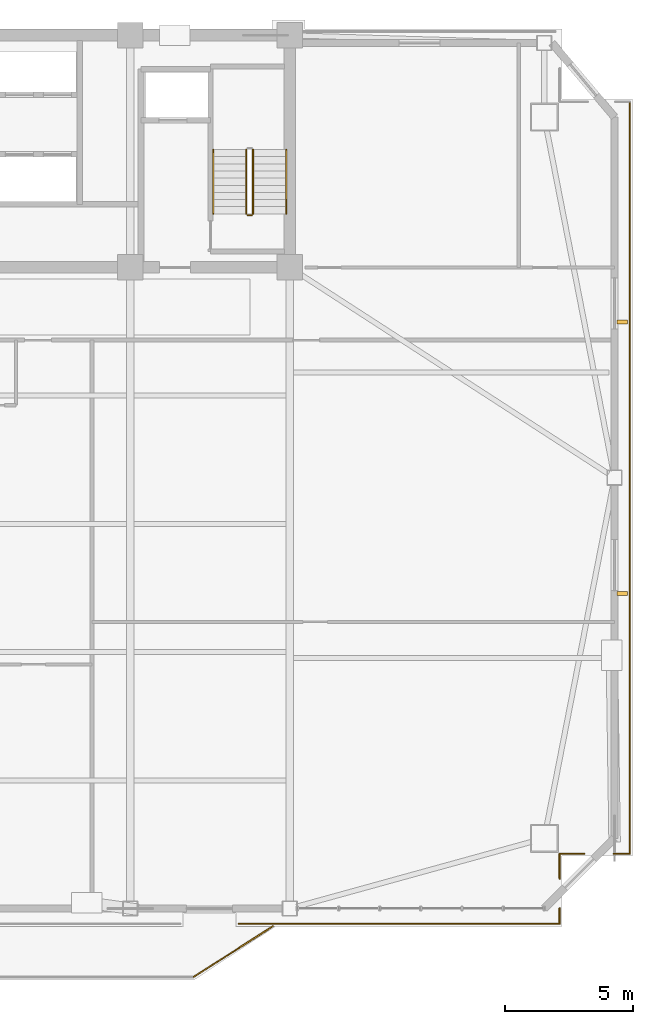
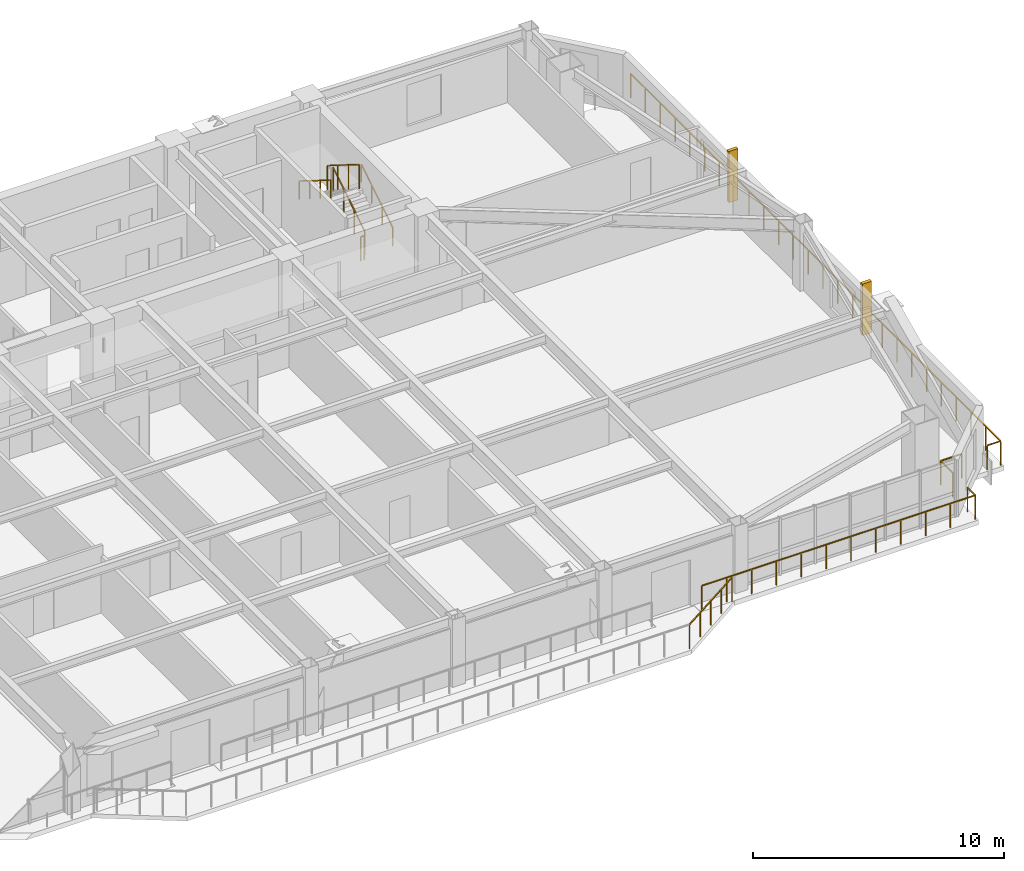
# One storey, part 15 of 17: 12 railings, 2 shading devices.
"""IFC4 building model written with IfcOpenShell, lengths in metres."""

import ifcopenshell
import ifcopenshell.guid

model = None  # the IFC model being written
_history = None  # IfcOwnerHistory: only IFC2X3 demands one
_inside = {}  # id of a spatial element -> (the spatial element, [elements in it])
_under = {}  # id of a project, library or spatial element -> (it, [spatial elements below it])
_declared = {}  # id of a project -> (the project, [libraries it declares])
_typed = {}  # id of a type object -> (the type object, [elements of that type])
_made_of = {}  # id of a material, layer set ... -> (it, [elements and type objects made of it])


def new_model(schema):
    """Start an empty IFC model of exactly this schema.

    Asked for "IFC4X3", IfcOpenShell would pick the latest addendum, in which some entities
    have other attributes; the version numbers below select the first issue.
    IFC2X3 requires an IfcOwnerHistory on every rooted entity: one is made here for all.
    """
    global model, _history
    if schema == "IFC4X3":
        model = ifcopenshell.file(schema_version=(4, 3, 0, 0))
    else:
        model = ifcopenshell.file(schema=schema)
    _inside.clear()
    _under.clear()
    _declared.clear()
    _typed.clear()
    _made_of.clear()
    _history = None
    if model.schema == "IFC2X3":
        org = make("IfcOrganization", Name="unknown")
        user = make(
            "IfcPersonAndOrganization",
            ThePerson=make("IfcPerson", FamilyName="unknown"),
            TheOrganization=org,
        )
        app = make(
            "IfcApplication",
            ApplicationDeveloper=org,
            Version="unknown",
            ApplicationFullName="unknown",
            ApplicationIdentifier="unknown",
        )
        _history = make(
            "IfcOwnerHistory",
            OwningUser=user,
            OwningApplication=app,
            ChangeAction="ADDED",
            CreationDate=0,
        )
    return model


def make(cls, **values):
    """One entity of the class cls with the attributes given. An attribute that is None is left unset."""
    return model.create_entity(
        cls, **{name: value for name, value in values.items() if value is not None}
    )


def rooted(cls, **values):
    """An entity with a GlobalId (a new one), such as an element, a storey or a relation."""
    return make(cls, GlobalId=ifcopenshell.guid.new(), OwnerHistory=_history, **values)


def si_unit(unit_type, name, prefix=None):
    """IfcSIUnit, for example si_unit("LENGTHUNIT", "METRE", prefix="MILLI")."""
    return make("IfcSIUnit", UnitType=unit_type, Prefix=prefix, Name=name)


def assignment(units):
    """IfcUnitAssignment: the units of a project."""
    return None if units is None else make("IfcUnitAssignment", Units=units)


def point(xyz):
    """IfcCartesianPoint."""
    return None if xyz is None else make("IfcCartesianPoint", Coordinates=xyz)


def direction(xyz):
    """IfcDirection."""
    return None if xyz is None else make("IfcDirection", DirectionRatios=xyz)


def frame(location, z_axis=None, x_axis=None):
    """IfcAxis2Placement3D, a coordinate frame: its origin and axes. An axis left out is left unset."""
    return make(
        "IfcAxis2Placement3D",
        Location=point(location),
        Axis=direction(z_axis),
        RefDirection=direction(x_axis),
    )


def frame_2d(location, x_axis=None):
    """IfcAxis2Placement2D, a coordinate frame in the plane: its origin and x axis."""
    return make(
        "IfcAxis2Placement2D", Location=point(location), RefDirection=direction(x_axis)
    )


def origin():
    """The frame at (0, 0, 0) with its axes left unset."""
    return frame((0.0, 0.0, 0.0))


def origin_2d():
    """The frame at (0, 0) in the plane with its x axis left unset."""
    return frame_2d((0.0, 0.0))


def place(relative_to, where):
    """IfcLocalPlacement: puts the frame where relative to a parent placement (None: the world)."""
    return make(
        "IfcLocalPlacement", PlacementRelTo=relative_to, RelativePlacement=where
    )


def context(
    kind, dimensions, precision=None, world=None, true_north=None, identifier=None
):
    """IfcGeometricRepresentationContext, for example the 3D "Model" context."""
    return make(
        "IfcGeometricRepresentationContext",
        ContextIdentifier=identifier,
        ContextType=kind,
        CoordinateSpaceDimension=dimensions,
        Precision=precision,
        WorldCoordinateSystem=world,
        TrueNorth=true_north,
    )


def subcontext(parent, identifier, kind, view, scale=None):
    """IfcGeometricRepresentationSubContext, for example "Body" below "Model"."""
    return make(
        "IfcGeometricRepresentationSubContext",
        ContextIdentifier=identifier,
        ContextType=kind,
        ParentContext=parent,
        TargetScale=scale,
        TargetView=view,
    )


def project(units=None, contexts=None):
    """IfcProject with its units and contexts."""
    return rooted(
        "IfcProject",
        Name="project",
        RepresentationContexts=contexts,
        UnitsInContext=assignment(units),
    )


def spatial(cls, under=None, at=None, **own):
    """A site, building, storey or space (cls), placed at a placement, below another one or the project."""
    s = rooted(cls, ObjectPlacement=at, **own)
    if under is not None:
        _under.setdefault(under.id(), (under, []))[1].append(s)
    return s


def profile(cls, at=None, kind="AREA", **sizes):
    """A parametric profile (cls). Its sizes go by their IFC names, for example OverallWidth=200.0."""
    return make(cls, ProfileType=kind, Position=at, **sizes)


def rectangle(**sizes):
    """IfcRectangleProfileDef."""
    return profile("IfcRectangleProfileDef", **sizes)


def extrude(swept, where, along, depth):
    """IfcExtrudedAreaSolid: the profile swept, set in the frame where, extruded along a direction by depth."""
    return make(
        "IfcExtrudedAreaSolid",
        SweptArea=swept,
        Position=where,
        ExtrudedDirection=direction(along),
        Depth=depth,
    )


def shape(context_of_items, identifier, shape_type, items):
    """IfcShapeRepresentation: the items that make up one representation, for example the "Body"."""
    return make(
        "IfcShapeRepresentation",
        ContextOfItems=context_of_items,
        RepresentationIdentifier=identifier,
        RepresentationType=shape_type,
        Items=items,
    )


def source(mapping_origin, context_of_items, identifier, shape_type, items):
    """IfcRepresentationMap: a shape defined once, which mapped items show again and again."""
    return make(
        "IfcRepresentationMap",
        MappingOrigin=mapping_origin,
        MappedRepresentation=shape(context_of_items, identifier, shape_type, items),
    )


def transform(
    local_origin,
    x_axis=None,
    y_axis=None,
    z_axis=None,
    scale=None,
    scale2=None,
    scale3=None,
    uniform=True,
):
    """IfcCartesianTransformationOperator3D, or its non-uniform kind. x_axis, y_axis, z_axis: its Axis1, 2, 3."""
    if uniform:
        return make(
            "IfcCartesianTransformationOperator3D",
            Axis1=direction(x_axis),
            Axis2=direction(y_axis),
            LocalOrigin=point(local_origin),
            Scale=scale,
            Axis3=direction(z_axis),
        )
    return make(
        "IfcCartesianTransformationOperator3DnonUniform",
        Axis1=direction(x_axis),
        Axis2=direction(y_axis),
        LocalOrigin=point(local_origin),
        Scale=scale,
        Axis3=direction(z_axis),
        Scale2=scale2,
        Scale3=scale3,
    )


def mapped(mapping_source, mapping_target):
    """IfcMappedItem: shows the shape of a source again, moved by a transform."""
    return make(
        "IfcMappedItem", MappingSource=mapping_source, MappingTarget=mapping_target
    )


def material(Name=None, Category=None):
    """IfcMaterial."""
    return make("IfcMaterial", Name=Name, Category=Category)


def made_of(thing, what):
    """Note that an element or type object is made of a material, layer set ...; save() writes the relation."""
    if what is not None:
        _made_of.setdefault(what.id(), (what, []))[1].append(thing)
    return thing


def type_object(cls, material=None, **own):
    """A type object (cls), such as IfcWallType, which elements share."""
    return made_of(rooted(cls, **own), material)


def element(
    cls,
    number,
    at=None,
    inside=None,
    cuts=None,
    type_object=None,
    material=None,
    context=None,
    identifier="Body",
    shape_type=None,
    held_by="IfcProductDefinitionShape",
    body=None,
    shapes=None,
    **own,
):
    """One element of the class cls, such as IfcWall. Its Tag is "e" and its number.

    at: its placement. inside: the storey or other place that contains it. cuts: it is an
    opening in that element (IfcRelVoidsElement). A single representation is given by context,
    identifier, shape_type and body (its items); several are given by shapes. held_by: the class
    of the entity that holds the representations. save() writes the other relations.
    """
    e = rooted(cls, Tag="e%d" % number, ObjectPlacement=at, **own)
    if body is not None:
        shapes = [shape(context, identifier, shape_type, body)]
    if shapes is not None:
        e.Representation = make(held_by, Representations=shapes)
    if inside is not None:
        _inside.setdefault(inside.id(), (inside, []))[1].append(e)
    if cuts is not None:
        rooted(
            "IfcRelVoidsElement", RelatingBuildingElement=cuts, RelatedOpeningElement=e
        )
    if type_object is not None:
        _typed.setdefault(type_object.id(), (type_object, []))[1].append(e)
    return made_of(e, material)


def aggregate(whole, parts):
    """IfcRelAggregates: a whole, such as a stair, and the parts it consists of."""
    return rooted("IfcRelAggregates", RelatingObject=whole, RelatedObjects=parts)


def save(model, path):
    """Write the relations noted so far, then the file.

    IfcRelAggregates (storeys below a building ...), IfcRelContainedInSpatialStructure (elements
    in a storey), IfcRelDefinesByType, IfcRelAssociatesMaterial and IfcRelDeclares: one each for
    every whole, place, type object, material and project.
    """
    for whole, parts in _under.values():
        aggregate(whole, parts)
    for where, things in _inside.values():
        rooted(
            "IfcRelContainedInSpatialStructure",
            RelatedElements=things,
            RelatingStructure=where,
        )
    for kind, things in _typed.values():
        rooted("IfcRelDefinesByType", RelatedObjects=things, RelatingType=kind)
    for what, things in _made_of.values():
        rooted("IfcRelAssociatesMaterial", RelatedObjects=things, RelatingMaterial=what)
    for by, libraries in _declared.values():
        rooted("IfcRelDeclares", RelatingContext=by, RelatedDefinitions=libraries)
    model.write(path)


model = new_model("IFC4")

# Units and contexts
model_context = context("Model", 3, precision=1e-05, world=origin(), true_north=direction((0.0, 1.0)))
body_context = subcontext(model_context, "Body", "Model", "MODEL_VIEW")
ifc_project = project(units=[si_unit("LENGTHUNIT", "METRE"), si_unit("AREAUNIT", "SQUARE_METRE"), si_unit("VOLUMEUNIT", "CUBIC_METRE"), si_unit("PLANEANGLEUNIT", "RADIAN"), si_unit("MASSUNIT", "GRAM", prefix="KILO")], contexts=[model_context])

# Site, building, storey
site_placement = place(None, origin())
site = spatial("IfcSite", under=ifc_project, at=site_placement, CompositionType="ELEMENT")
building_placement = place(site_placement, origin())
building = spatial("IfcBuilding", under=site, at=building_placement, Name="Giltprow Tower", CompositionType="ELEMENT")
storey_placement = place(building_placement, frame((0.0, 0.0, 213.199951171875)))
storey = spatial("IfcBuildingStorey", under=building, at=storey_placement, Name="L54", CompositionType="ELEMENT", Elevation=213.199951171875)

# Railings
ifc_material = material(Name="Anodized bronze", Category="metal")
railing_type_1 = type_object("IfcRailingType", Name="RAIL-BALC-GUARD-1200", PredefinedType="BALUSTRADE", material=ifc_material)
railing_1_placement = place(storey_placement, frame((46.780029296875, 9.637939453125, 0.0)))
element("IfcRailing", 1, at=railing_1_placement, inside=storey, type_object=railing_type_1, Name="L54 Waterfront Balcony Balustrade Seg 3", PredefinedType="BALUSTRADE", context=body_context, shape_type="SweptSolid", body=[
    extrude(rectangle(XDim=0.048095703125, YDim=0.048095703125, at=origin_2d()), frame((0.0, 0.0, 1.17578125), z_axis=(0.842755646126, 0.538296313309, 0.0), x_axis=(-0.538296313309, 0.842755646126, 0.0)), (0.0, 0.0, 1.0), 3.67822265625),
    extrude(rectangle(XDim=0.0419921875, YDim=0.0419921875, at=origin_2d()), origin(), (0.0, 0.0, 1.0), 1.15185546875),
    extrude(rectangle(XDim=0.0419921875, YDim=0.0419921875, at=origin_2d()), frame((0.77490234375, 0.4951171875, 0.0)), (0.0, 0.0, 1.0), 1.15185546875),
    extrude(rectangle(XDim=0.0419921875, YDim=0.0419921875, at=origin_2d()), frame((1.5498046875, 0.989990234375, 0.0)), (0.0, 0.0, 1.0), 1.15185546875),
    extrude(rectangle(XDim=0.0419921875, YDim=0.0419921875, at=origin_2d()), frame((2.324951171875, 1.48486328125, 0.0)), (0.0, 0.0, 1.0), 1.15185546875),
    extrude(rectangle(XDim=0.0419921875, YDim=0.0419921875, at=origin_2d()), frame((3.099853515625, 1.97998046875, 0.0)), (0.0, 0.0, 1.0), 1.15185546875),
])
railing_2_placement = place(storey_placement, frame((63.882080078125, 43.946044921875, 0.0)))
element("IfcRailing", 2, at=railing_2_placement, inside=storey, type_object=railing_type_1, Name="L54 Corner Apron Edge Balustrade 1", PredefinedType="BALUSTRADE", context=body_context, shape_type="SweptSolid", body=[
    extrude(rectangle(XDim=0.048095703125, YDim=0.048095703125, at=origin_2d()), frame((0.0, 0.0, 1.17578125), z_axis=(0.0, -1.0, 0.0), x_axis=(1.0, 0.0, 0.0)), (0.0, 0.0, 1.0), 29.47412109375),
    extrude(rectangle(XDim=0.0419921875, YDim=0.0419921875, at=origin_2d()), origin(), (0.0, 0.0, 1.0), 1.15185546875),
    extrude(rectangle(XDim=0.0419921875, YDim=0.0419921875, at=origin_2d()), frame((0.0, -1.178955078125, 0.0)), (0.0, 0.0, 1.0), 1.15185546875),
    extrude(rectangle(XDim=0.0419921875, YDim=0.0419921875, at=origin_2d()), frame((0.0, -2.35791015625, 0.0)), (0.0, 0.0, 1.0), 1.15185546875),
    extrude(rectangle(XDim=0.0419921875, YDim=0.0419921875, at=origin_2d()), frame((0.0, -3.536865234375, 0.0)), (0.0, 0.0, 1.0), 1.15185546875),
    extrude(rectangle(XDim=0.0419921875, YDim=0.0419921875, at=origin_2d()), frame((0.0, -4.7158203125, 0.0)), (0.0, 0.0, 1.0), 1.15185546875),
    extrude(rectangle(XDim=0.0419921875, YDim=0.0419921875, at=origin_2d()), frame((0.0, -5.894775390625, 0.0)), (0.0, 0.0, 1.0), 1.15185546875),
    extrude(rectangle(XDim=0.0419921875, YDim=0.0419921875, at=origin_2d()), frame((0.0, -7.07373046875, 0.0)), (0.0, 0.0, 1.0), 1.15185546875),
    extrude(rectangle(XDim=0.0419921875, YDim=0.0419921875, at=origin_2d()), frame((0.0, -8.252685546875, 0.0)), (0.0, 0.0, 1.0), 1.15185546875),
    extrude(rectangle(XDim=0.0419921875, YDim=0.0419921875, at=origin_2d()), frame((0.0, -9.431640625, 0.0)), (0.0, 0.0, 1.0), 1.15185546875),
    extrude(rectangle(XDim=0.0419921875, YDim=0.0419921875, at=origin_2d()), frame((0.0, -10.610595703125, 0.0)), (0.0, 0.0, 1.0), 1.15185546875),
    extrude(rectangle(XDim=0.0419921875, YDim=0.0419921875, at=origin_2d()), frame((0.0, -11.78955078125, 0.0)), (0.0, 0.0, 1.0), 1.15185546875),
    extrude(rectangle(XDim=0.0419921875, YDim=0.0419921875, at=origin_2d()), frame((0.0, -12.968505859375, 0.0)), (0.0, 0.0, 1.0), 1.15185546875),
    extrude(rectangle(XDim=0.0419921875, YDim=0.0419921875, at=origin_2d()), frame((0.0, -14.1474609375, 0.0)), (0.0, 0.0, 1.0), 1.15185546875),
    extrude(rectangle(XDim=0.0419921875, YDim=0.0419921875, at=origin_2d()), frame((0.0, -15.32666015625, 0.0)), (0.0, 0.0, 1.0), 1.15185546875),
    extrude(rectangle(XDim=0.0419921875, YDim=0.0419921875, at=origin_2d()), frame((0.0, -16.505615234375, 0.0)), (0.0, 0.0, 1.0), 1.15185546875),
    extrude(rectangle(XDim=0.0419921875, YDim=0.0419921875, at=origin_2d()), frame((0.0, -17.6845703125, 0.0)), (0.0, 0.0, 1.0), 1.15185546875),
    extrude(rectangle(XDim=0.0419921875, YDim=0.0419921875, at=origin_2d()), frame((0.0, -18.863525390625, 0.0)), (0.0, 0.0, 1.0), 1.15185546875),
    extrude(rectangle(XDim=0.0419921875, YDim=0.0419921875, at=origin_2d()), frame((0.0, -20.04248046875, 0.0)), (0.0, 0.0, 1.0), 1.15185546875),
    extrude(rectangle(XDim=0.0419921875, YDim=0.0419921875, at=origin_2d()), frame((0.0, -21.221435546875, 0.0)), (0.0, 0.0, 1.0), 1.15185546875),
    extrude(rectangle(XDim=0.0419921875, YDim=0.0419921875, at=origin_2d()), frame((0.0, -22.400390625, 0.0)), (0.0, 0.0, 1.0), 1.15185546875),
    extrude(rectangle(XDim=0.0419921875, YDim=0.0419921875, at=origin_2d()), frame((0.0, -23.579345703125, 0.0)), (0.0, 0.0, 1.0), 1.15185546875),
    extrude(rectangle(XDim=0.0419921875, YDim=0.0419921875, at=origin_2d()), frame((0.0, -24.75830078125, 0.0)), (0.0, 0.0, 1.0), 1.15185546875),
    extrude(rectangle(XDim=0.0419921875, YDim=0.0419921875, at=origin_2d()), frame((0.0, -25.937255859375, 0.0)), (0.0, 0.0, 1.0), 1.15185546875),
    extrude(rectangle(XDim=0.0419921875, YDim=0.0419921875, at=origin_2d()), frame((0.0, -27.1162109375, 0.0)), (0.0, 0.0, 1.0), 1.15185546875),
    extrude(rectangle(XDim=0.0419921875, YDim=0.0419921875, at=origin_2d()), frame((0.0, -28.295166015625, 0.0)), (0.0, 0.0, 1.0), 1.15185546875),
    extrude(rectangle(XDim=0.0419921875, YDim=0.0419921875, at=origin_2d()), frame((0.0, -29.47412109375, 0.0)), (0.0, 0.0, 1.0), 1.15185546875),
])
railing_3_placement = place(storey_placement, frame((63.882080078125, 14.471923828125, 0.0)))
element("IfcRailing", 3, at=railing_3_placement, inside=storey, type_object=railing_type_1, Name="L54 Corner Apron Edge Balustrade 2", PredefinedType="BALUSTRADE", context=body_context, shape_type="SweptSolid", body=[
    extrude(rectangle(XDim=0.048095703125, YDim=0.048095703125, at=origin_2d()), frame((0.0, 0.0, 1.17578125), z_axis=(-1.0, 0.0, 0.0), x_axis=(0.0, -1.0, 0.0)), (0.0, 0.0, 1.0), 0.6201171875),
    extrude(rectangle(XDim=0.0419921875, YDim=0.0419921875, at=origin_2d()), origin(), (0.0, 0.0, 1.0), 1.15185546875),
    extrude(rectangle(XDim=0.0419921875, YDim=0.0419921875, at=origin_2d()), frame((-0.6201171875, 0.0, 0.0)), (0.0, 0.0, 1.0), 1.15185546875),
])
railing_4_placement = place(storey_placement, frame((62.10205078125, 14.471923828125, 0.0)))
element("IfcRailing", 4, at=railing_4_placement, inside=storey, type_object=railing_type_1, Name="L54 Corner Apron Edge Balustrade 3", PredefinedType="BALUSTRADE", context=body_context, shape_type="SweptSolid", body=[
    extrude(rectangle(XDim=0.048095703125, YDim=0.048095703125, at=origin_2d()), frame((0.0, 0.0, 1.17578125), z_axis=(-1.0, 0.0, 0.0), x_axis=(0.0, -1.0, 0.0)), (0.0, 0.0, 1.0), 0.97412109375),
    extrude(rectangle(XDim=0.0419921875, YDim=0.0419921875, at=origin_2d()), origin(), (0.0, 0.0, 1.0), 1.15185546875),
    extrude(rectangle(XDim=0.0419921875, YDim=0.0419921875, at=origin_2d()), frame((-0.97412109375, 0.0, 0.0)), (0.0, 0.0, 1.0), 1.15185546875),
])
railing_5_placement = place(storey_placement, frame((61.1279296875, 14.471923828125, 0.0)))
element("IfcRailing", 5, at=railing_5_placement, inside=storey, type_object=railing_type_1, Name="L54 Corner Apron Edge Balustrade 4", PredefinedType="BALUSTRADE", context=body_context, shape_type="SweptSolid", body=[
    extrude(rectangle(XDim=0.048095703125, YDim=0.048095703125, at=origin_2d()), frame((0.0, 0.0, 1.17578125), z_axis=(0.0, -1.0, 0.0), x_axis=(1.0, 0.0, 0.0)), (0.0, 0.0, 1.0), 0.973876953125),
    extrude(rectangle(XDim=0.0419921875, YDim=0.0419921875, at=origin_2d()), origin(), (0.0, 0.0, 1.0), 1.15185546875),
    extrude(rectangle(XDim=0.0419921875, YDim=0.0419921875, at=origin_2d()), frame((0.0, -0.973876953125, 0.0)), (0.0, 0.0, 1.0), 1.15185546875),
])
railing_6_placement = place(storey_placement, frame((61.1279296875, 12.337890625, 0.0)))
element("IfcRailing", 6, at=railing_6_placement, inside=storey, type_object=railing_type_1, Name="L54 Corner Apron Edge Balustrade 5", PredefinedType="BALUSTRADE", context=body_context, shape_type="SweptSolid", body=[
    extrude(rectangle(XDim=0.048095703125, YDim=0.048095703125, at=origin_2d()), frame((0.0, 0.0, 1.17578125), z_axis=(0.0, -1.0, 0.0), x_axis=(1.0, 0.0, 0.0)), (0.0, 0.0, 1.0), 0.619873046875),
    extrude(rectangle(XDim=0.0419921875, YDim=0.0419921875, at=origin_2d()), origin(), (0.0, 0.0, 1.0), 1.15185546875),
    extrude(rectangle(XDim=0.0419921875, YDim=0.0419921875, at=origin_2d()), frame((0.0, -0.619873046875, 0.0)), (0.0, 0.0, 1.0), 1.15185546875),
])
railing_7_placement = place(storey_placement, frame((61.1279296875, 11.718017578125, 0.0)))
element("IfcRailing", 7, at=railing_7_placement, inside=storey, type_object=railing_type_1, Name="L54 Corner Apron Edge Balustrade 6", PredefinedType="BALUSTRADE", context=body_context, shape_type="SweptSolid", body=[
    extrude(rectangle(XDim=0.048095703125, YDim=0.048095703125, at=origin_2d()), frame((0.0, 0.0, 1.17578125), z_axis=(-1.0, 0.0, 0.0), x_axis=(0.0, -1.0, 0.0)), (0.0, 0.0, 1.0), 12.577880859375),
    extrude(rectangle(XDim=0.0419921875, YDim=0.0419921875, at=origin_2d()), origin(), (0.0, 0.0, 1.0), 1.15185546875),
    extrude(rectangle(XDim=0.0419921875, YDim=0.0419921875, at=origin_2d()), frame((-1.1435546875, 0.0, 0.0)), (0.0, 0.0, 1.0), 1.15185546875),
    extrude(rectangle(XDim=0.0419921875, YDim=0.0419921875, at=origin_2d()), frame((-2.286865234375, 0.0, 0.0)), (0.0, 0.0, 1.0), 1.15185546875),
    extrude(rectangle(XDim=0.0419921875, YDim=0.0419921875, at=origin_2d()), frame((-3.430419921875, 0.0, 0.0)), (0.0, 0.0, 1.0), 1.15185546875),
    extrude(rectangle(XDim=0.0419921875, YDim=0.0419921875, at=origin_2d()), frame((-4.57373046875, 0.0, 0.0)), (0.0, 0.0, 1.0), 1.15185546875),
    extrude(rectangle(XDim=0.0419921875, YDim=0.0419921875, at=origin_2d()), frame((-5.71728515625, 0.0, 0.0)), (0.0, 0.0, 1.0), 1.15185546875),
    extrude(rectangle(XDim=0.0419921875, YDim=0.0419921875, at=origin_2d()), frame((-6.860595703125, 0.0, 0.0)), (0.0, 0.0, 1.0), 1.15185546875),
    extrude(rectangle(XDim=0.0419921875, YDim=0.0419921875, at=origin_2d()), frame((-8.004150390625, 0.0, 0.0)), (0.0, 0.0, 1.0), 1.15185546875),
    extrude(rectangle(XDim=0.0419921875, YDim=0.0419921875, at=origin_2d()), frame((-9.1474609375, 0.0, 0.0)), (0.0, 0.0, 1.0), 1.15185546875),
    extrude(rectangle(XDim=0.0419921875, YDim=0.0419921875, at=origin_2d()), frame((-10.291015625, 0.0, 0.0)), (0.0, 0.0, 1.0), 1.15185546875),
    extrude(rectangle(XDim=0.0419921875, YDim=0.0419921875, at=origin_2d()), frame((-11.434326171875, 0.0, 0.0)), (0.0, 0.0, 1.0), 1.15185546875),
    extrude(rectangle(XDim=0.0419921875, YDim=0.0419921875, at=origin_2d()), frame((-12.577880859375, 0.0, 0.0)), (0.0, 0.0, 1.0), 1.15185546875),
])
railing_type_2 = type_object("IfcRailingType", Name="RAIL-STAIR-GUARD-1200", PredefinedType="GUARDRAIL", material=ifc_material)
railing_8_placement = place(storey_placement, frame((49.110107421875, 39.550048828125, 0.175048828125)))
element("IfcRailing", 8, at=railing_8_placement, inside=storey, type_object=railing_type_2, Name="L54 ST-3 stair guard 1", PredefinedType="GUARDRAIL", context=body_context, shape_type="SweptSolid", body=[
    extrude(rectangle(XDim=0.048095703125, YDim=0.048095703125, at=origin_2d()), frame((0.0, 0.0, 1.17578125), z_axis=(0.0, 0.848007534815, 0.529984170421), x_axis=(-1.0, 0.0, 0.0)), (0.0, 0.0, 1.0), 2.9716796875),
    extrude(rectangle(XDim=0.0419921875, YDim=0.0419921875, at=origin_2d()), origin(), (0.0, 0.0, 1.0), 1.15185546875),
    extrude(rectangle(XDim=0.0419921875, YDim=0.0419921875, at=origin_2d()), frame((0.0, 0.840087890625, 0.52490234375)), (0.0, 0.0, 1.0), 1.15185546875),
    extrude(rectangle(XDim=0.0419921875, YDim=0.0419921875, at=origin_2d()), frame((0.0, 1.679931640625, 1.050048828125)), (0.0, 0.0, 1.0), 1.15185546875),
    extrude(rectangle(XDim=0.0419921875, YDim=0.0419921875, at=origin_2d()), frame((0.0, 2.52001953125, 1.574951171875)), (0.0, 0.0, 1.0), 1.15185546875),
])
railing_9_placement = place(storey_placement, frame((48.85009765625, 42.070068359375, 1.925048828125)))
element("IfcRailing", 9, at=railing_9_placement, inside=storey, type_object=railing_type_2, Name="L54 ST-3 stair guard 3", PredefinedType="GUARDRAIL", context=body_context, shape_type="SweptSolid", body=[
    extrude(rectangle(XDim=0.048095703125, YDim=0.048095703125, at=origin_2d()), frame((0.0, 0.0, 1.17578125), z_axis=(0.0, -0.848007534815, 0.529984170421), x_axis=(1.0, 0.0, 0.0)), (0.0, 0.0, 1.0), 2.9716796875),
    extrude(rectangle(XDim=0.0419921875, YDim=0.0419921875, at=origin_2d()), origin(), (0.0, 0.0, 1.0), 1.15185546875),
    extrude(rectangle(XDim=0.0419921875, YDim=0.0419921875, at=origin_2d()), frame((0.0, -0.840087890625, 0.52490234375)), (0.0, 0.0, 1.0), 1.15185546875),
    extrude(rectangle(XDim=0.0419921875, YDim=0.0419921875, at=origin_2d()), frame((0.0, -1.679931640625, 1.050048828125)), (0.0, 0.0, 1.0), 1.15185546875),
    extrude(rectangle(XDim=0.0419921875, YDim=0.0419921875, at=origin_2d()), frame((0.0, -2.52001953125, 1.574951171875)), (0.0, 0.0, 1.0), 1.15185546875),
])
railing_10_placement = place(storey_placement, frame((49.06005859375, 39.5, 0.0)))
element("IfcRailing", 10, at=railing_10_placement, inside=storey, type_object=railing_type_2, Name="L54 ST-3 stair guard 4", PredefinedType="GUARDRAIL", context=body_context, shape_type="SweptSolid", body=[
    extrude(rectangle(XDim=0.048095703125, YDim=0.048095703125, at=origin_2d()), frame((0.0, 0.0, 1.17578125), z_axis=(-1.0, 0.0, 0.0), x_axis=(0.0, -1.0, 0.0)), (0.0, 0.0, 1.0), 0.16015625),
    extrude(rectangle(XDim=0.0419921875, YDim=0.0419921875, at=origin_2d()), origin(), (0.0, 0.0, 1.0), 1.15185546875),
    extrude(rectangle(XDim=0.0419921875, YDim=0.0419921875, at=origin_2d()), frame((-0.16015625, 0.0, 0.0)), (0.0, 0.0, 1.0), 1.15185546875),
])
railing_type_3 = type_object("IfcRailingType", Name="RAIL-STAIR-HAND-900", PredefinedType="HANDRAIL", material=ifc_material)
railing_11_placement = place(storey_placement, frame((50.409912109375, 39.550048828125, 0.175048828125)))
element("IfcRailing", 11, at=railing_11_placement, inside=storey, type_object=railing_type_3, Name="L54 ST-3 stair handrail 1", PredefinedType="HANDRAIL", context=body_context, shape_type="SweptSolid", body=[
    extrude(rectangle(XDim=0.048095703125, YDim=0.048095703125, at=origin_2d()), frame((0.0, 0.0, 0.8759765625), z_axis=(0.0, 0.848007534815, 0.529984170421), x_axis=(-1.0, 0.0, 0.0)), (0.0, 0.0, 1.0), 2.9716796875),
    extrude(rectangle(XDim=0.0419921875, YDim=0.0419921875, at=origin_2d()), origin(), (0.0, 0.0, 1.0), 0.851806640625),
    extrude(rectangle(XDim=0.0419921875, YDim=0.0419921875, at=origin_2d()), frame((0.0, 0.840087890625, 0.52490234375)), (0.0, 0.0, 1.0), 0.851806640625),
    extrude(rectangle(XDim=0.0419921875, YDim=0.0419921875, at=origin_2d()), frame((0.0, 1.679931640625, 1.050048828125)), (0.0, 0.0, 1.0), 0.851806640625),
    extrude(rectangle(XDim=0.0419921875, YDim=0.0419921875, at=origin_2d()), frame((0.0, 2.52001953125, 1.574951171875)), (0.0, 0.0, 1.0), 0.851806640625),
])
railing_12_placement = place(storey_placement, frame((47.550048828125, 42.070068359375, 1.925048828125)))
element("IfcRailing", 12, at=railing_12_placement, inside=storey, type_object=railing_type_3, Name="L54 ST-3 stair handrail 2", PredefinedType="HANDRAIL", context=body_context, shape_type="SweptSolid", body=[
    extrude(rectangle(XDim=0.048095703125, YDim=0.048095703125, at=origin_2d()), frame((0.0, 0.0, 0.8759765625), z_axis=(0.0, -0.848007534815, 0.529984170421), x_axis=(1.0, 0.0, 0.0)), (0.0, 0.0, 1.0), 2.9716796875),
    extrude(rectangle(XDim=0.0419921875, YDim=0.0419921875, at=origin_2d()), origin(), (0.0, 0.0, 1.0), 0.851806640625),
    extrude(rectangle(XDim=0.0419921875, YDim=0.0419921875, at=origin_2d()), frame((0.0, -0.840087890625, 0.52490234375)), (0.0, 0.0, 1.0), 0.851806640625),
    extrude(rectangle(XDim=0.0419921875, YDim=0.0419921875, at=origin_2d()), frame((0.0, -1.679931640625, 1.050048828125)), (0.0, 0.0, 1.0), 0.851806640625),
    extrude(rectangle(XDim=0.0419921875, YDim=0.0419921875, at=origin_2d()), frame((0.0, -2.52001953125, 1.574951171875)), (0.0, 0.0, 1.0), 0.851806640625),
])

# Shading devices
shading_device_type = type_object("IfcShadingDeviceType", Name="SHD-FIN-420", PredefinedType="USERDEFINED", material=ifc_material)
shared_shape = source(origin(), body_context, "Body", "SweptSolid", [
    extrude(rectangle(XDim=0.419921875, YDim=0.159912109375, at=origin_2d()), origin(), (0.0, 0.0, 1.0), 2.5),
])
for number, where, z_axis, x_axis, name in (
    (13, (63.58203125, 24.662109375, 0.35009765625), (0.0, 0.0, 1.0), (1.0, 0.0, 0.0), "L54 E Bronze Vertical Fin 1-1"),
    (14, (63.58203125, 35.306884765625, 0.35009765625), (0.0, 0.0, 1.0), (1.0, 0.0, 0.0), "L54 E Bronze Vertical Fin 2-1"),
):
    element("IfcShadingDevice", number, at=place(storey_placement, frame(where, z_axis=z_axis, x_axis=x_axis)), inside=storey, type_object=shading_device_type, Name=name, ObjectType="FIN", PredefinedType="USERDEFINED", context=body_context, shape_type="MappedRepresentation", body=[
        mapped(shared_shape, transform((0.0, 0.0, 0.0), x_axis=(1.0, 0.0, 0.0), y_axis=(0.0, 1.0, 0.0), z_axis=(0.0, 0.0, 1.0), scale=1.0)),
    ])

save(model, "model.ifc")
